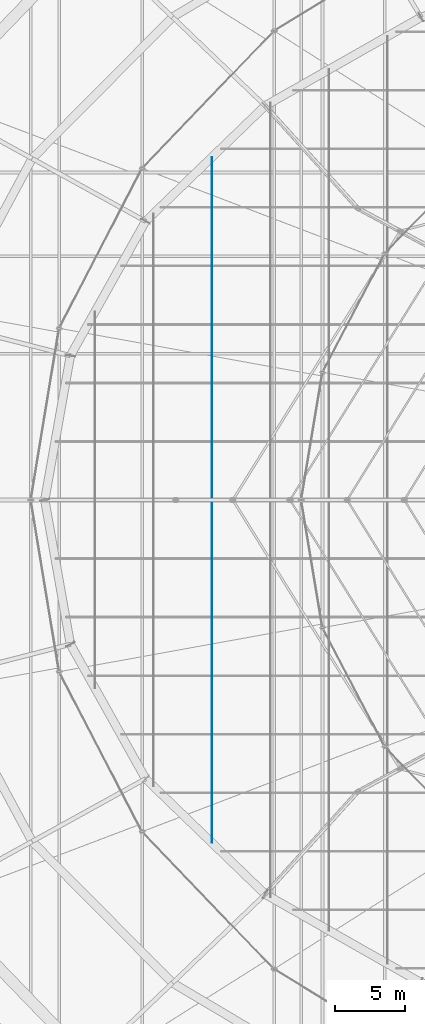
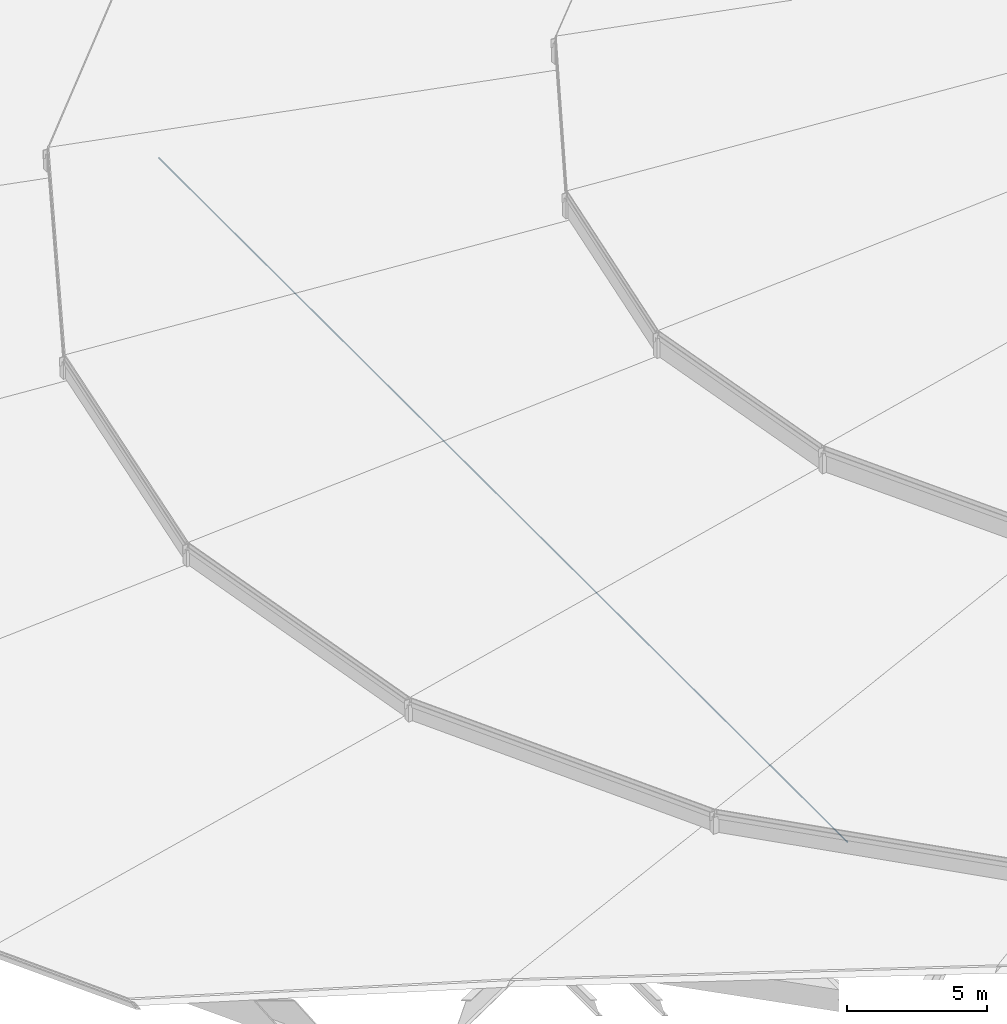
# One storey, part 12 of 184: 1 member.
"""IFC4 building model written with IfcOpenShell, lengths in metres."""

from ifc_helpers import new_model, si_unit, direction, frame, origin, origin_2d, place, context, subcontext, project, spatial, circle, extrude, material, material_profile, profile_set, type_object, element, save


model = new_model("IFC4")

# Units and contexts
model_context = context("Model", 3, precision=1e-05, world=origin(), true_north=direction((0.0, 1.0)))
body_context = subcontext(model_context, "Body", "Model", "MODEL_VIEW")
ifc_project = project(units=[si_unit("LENGTHUNIT", "METRE"), si_unit("AREAUNIT", "SQUARE_METRE"), si_unit("VOLUMEUNIT", "CUBIC_METRE"), si_unit("PLANEANGLEUNIT", "RADIAN"), si_unit("MASSUNIT", "GRAM", prefix="KILO")], contexts=[model_context])

# Site, building, storey
site_placement = place(None, origin())
site = spatial("IfcSite", under=ifc_project, at=site_placement, CompositionType="ELEMENT")
building_placement = place(site_placement, origin())
building = spatial("IfcBuilding", under=site, at=building_placement, Name="Kalgoora Escarpment Arena", CompositionType="ELEMENT")
storey_placement = place(building_placement, frame((0.0, 0.0, 27.60009765625)))
storey = spatial("IfcBuildingStorey", under=building, at=storey_placement, Name="Roof Level", CompositionType="ELEMENT", Elevation=27.60009765625)

# Member
ifc_material = material(Name="High-tensile spiral strand steel Grade 450 (350 MPa)", Category="steel")
ifc_material_profile = material_profile(ifc_material, circle(Radius=0.028076171875, at=origin_2d()))
ifc_profile_set = profile_set([ifc_material_profile], Name="High-tensile spiral strand steel Grade 450 (350 MPa)")
member_type = type_object("IfcMemberType", Name="MEM-CABLE-56", PredefinedType="USERDEFINED", material=ifc_profile_set)
member_placement = place(storey_placement, frame((50.39990234375, 39.399658203125, -1.190185546875), z_axis=(0.0, 1.0, 0.0), x_axis=(-1.0, 0.0, 0.0)))
element("IfcMember", 1, at=member_placement, inside=storey, type_object=member_type, Name="Roof saddle pretensioning cable Y-21", ObjectType="CABLE", PredefinedType="USERDEFINED", context=body_context, shape_type="SweptSolid", body=[
    extrude(circle(Radius=0.028076171875, at=origin_2d()), origin(), (0.0, 0.0, 1.0), 49.20068359375),
])

save(model, "model.ifc")
